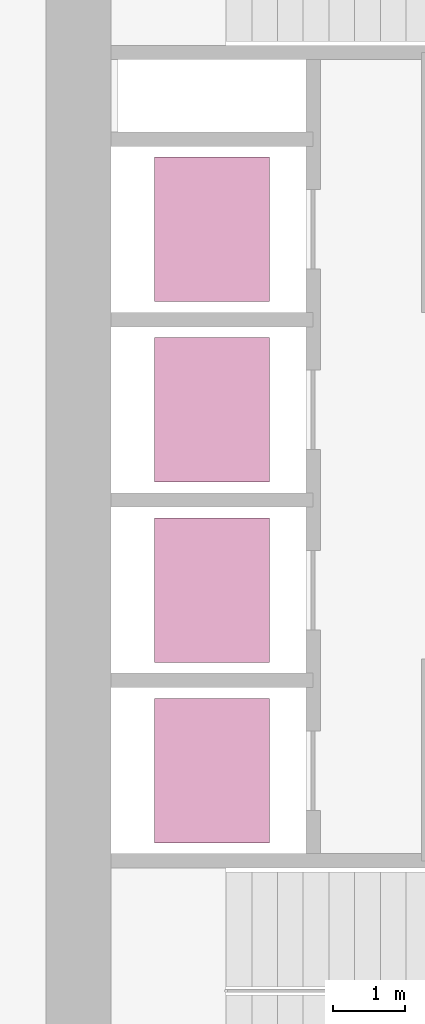
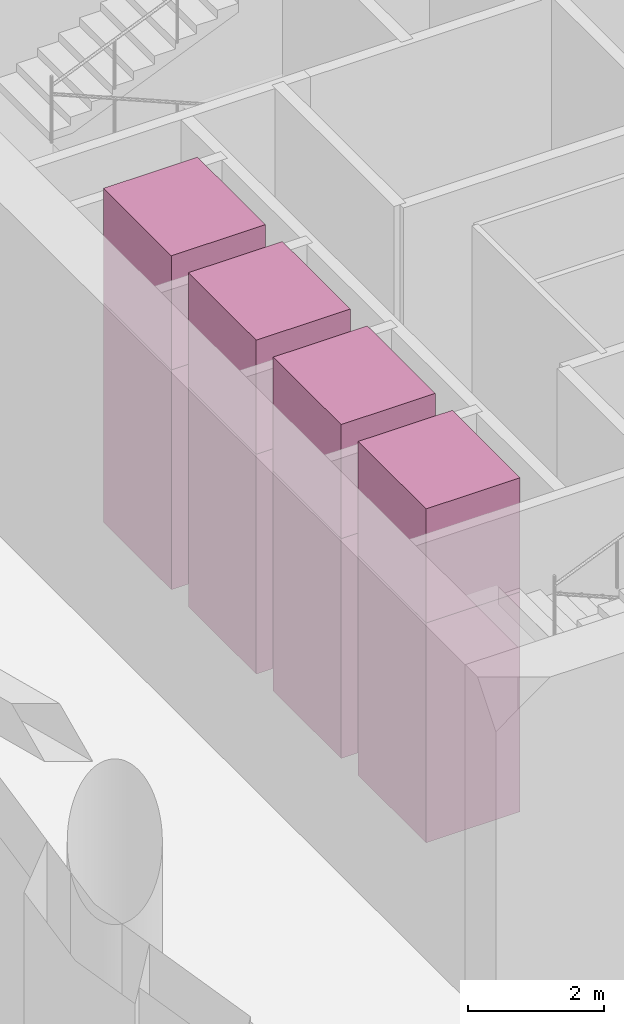
# One storey, part 28 of 28: 8 transport elements.
"""IFC4 building model written with IfcOpenShell, lengths in metres."""

from ifc_helpers import new_model, si_unit, direction, frame, origin, origin_2d, place, context, subcontext, project, spatial, rectangle, extrude, material, type_object, element, save


model = new_model("IFC4")

# Units and contexts
model_context = context("Model", 3, precision=1e-05, world=origin(), true_north=direction((0.0, 1.0)))
body_context = subcontext(model_context, "Body", "Model", "MODEL_VIEW")
ifc_project = project(units=[si_unit("LENGTHUNIT", "METRE"), si_unit("AREAUNIT", "SQUARE_METRE"), si_unit("VOLUMEUNIT", "CUBIC_METRE"), si_unit("PLANEANGLEUNIT", "RADIAN"), si_unit("MASSUNIT", "GRAM", prefix="KILO")], contexts=[model_context])

# Site, building, storey
site_placement = place(None, origin())
site = spatial("IfcSite", under=ifc_project, at=site_placement, CompositionType="ELEMENT")
building_placement = place(site_placement, origin())
building = spatial("IfcBuilding", under=site, at=building_placement, Name="Qaws Garden Tower", CompositionType="ELEMENT")
storey_placement = place(building_placement, frame((0.0, 0.0, 6.0)))
storey = spatial("IfcBuildingStorey", under=building, at=storey_placement, Name="L01", CompositionType="ELEMENT", Elevation=6.0)

# Transport elements
ifc_material = material(Name="Stainless steel 316", Category="steel")
transport_element_type = type_object("IfcTransportElementType", Name="Passenger lift car 2000x1600 1800 kg", PredefinedType="ELEVATOR", material=ifc_material)
transport_element_1_placement = place(storey_placement, frame((10.300048828125, 13.64990234375, 0.0), z_axis=(0.0, 0.0, 1.0), x_axis=(1.0, 0.0, 0.0)))
element("IfcTransportElement", 1, at=transport_element_1_placement, inside=storey, type_object=transport_element_type, Name="LR1", PredefinedType="ELEVATOR", context=body_context, shape_type="SweptSolid", body=[
    extrude(rectangle(XDim=1.60009765625, YDim=2.0, at=origin_2d()), origin(), (0.0, 0.0, 1.0), 3.949951171875),
])
transport_element_2_placement = place(storey_placement, frame((10.300048828125, 13.64990234375, 3.9501953125), z_axis=(0.0, 0.0, 1.0), x_axis=(1.0, 0.0, 0.0)))
element("IfcTransportElement", 2, at=transport_element_2_placement, inside=storey, type_object=transport_element_type, Name="LR1", PredefinedType="ELEVATOR", context=body_context, shape_type="SweptSolid", body=[
    extrude(rectangle(XDim=1.60009765625, YDim=2.0, at=origin_2d()), origin(), (0.0, 0.0, 1.0), 2.050048828125),
])
transport_element_3_placement = place(storey_placement, frame((10.300048828125, 16.14990234375, 0.0), z_axis=(0.0, 0.0, 1.0), x_axis=(1.0, 0.0, 0.0)))
element("IfcTransportElement", 3, at=transport_element_3_placement, inside=storey, type_object=transport_element_type, Name="LR2", PredefinedType="ELEVATOR", context=body_context, shape_type="SweptSolid", body=[
    extrude(rectangle(XDim=1.60009765625, YDim=2.0, at=origin_2d()), origin(), (0.0, 0.0, 1.0), 3.949951171875),
])
transport_element_4_placement = place(storey_placement, frame((10.300048828125, 16.14990234375, 3.9501953125), z_axis=(0.0, 0.0, 1.0), x_axis=(1.0, 0.0, 0.0)))
element("IfcTransportElement", 4, at=transport_element_4_placement, inside=storey, type_object=transport_element_type, Name="LR2", PredefinedType="ELEVATOR", context=body_context, shape_type="SweptSolid", body=[
    extrude(rectangle(XDim=1.60009765625, YDim=2.0, at=origin_2d()), origin(), (0.0, 0.0, 1.0), 2.050048828125),
])
transport_element_5_placement = place(storey_placement, frame((10.300048828125, 18.64990234375, 0.0), z_axis=(0.0, 0.0, 1.0), x_axis=(1.0, 0.0, 0.0)))
element("IfcTransportElement", 5, at=transport_element_5_placement, inside=storey, type_object=transport_element_type, Name="LR3", PredefinedType="ELEVATOR", context=body_context, shape_type="SweptSolid", body=[
    extrude(rectangle(XDim=1.60009765625, YDim=2.0, at=origin_2d()), origin(), (0.0, 0.0, 1.0), 3.949951171875),
])
transport_element_6_placement = place(storey_placement, frame((10.300048828125, 18.64990234375, 3.9501953125), z_axis=(0.0, 0.0, 1.0), x_axis=(1.0, 0.0, 0.0)))
element("IfcTransportElement", 6, at=transport_element_6_placement, inside=storey, type_object=transport_element_type, Name="LR3", PredefinedType="ELEVATOR", context=body_context, shape_type="SweptSolid", body=[
    extrude(rectangle(XDim=1.60009765625, YDim=2.0, at=origin_2d()), origin(), (0.0, 0.0, 1.0), 2.050048828125),
])
transport_element_7_placement = place(storey_placement, frame((10.300048828125, 21.14990234375, 0.0), z_axis=(0.0, 0.0, 1.0), x_axis=(1.0, 0.0, 0.0)))
element("IfcTransportElement", 7, at=transport_element_7_placement, inside=storey, type_object=transport_element_type, Name="LR4", PredefinedType="ELEVATOR", context=body_context, shape_type="SweptSolid", body=[
    extrude(rectangle(XDim=1.60009765625, YDim=2.0, at=origin_2d()), origin(), (0.0, 0.0, 1.0), 3.949951171875),
])
transport_element_8_placement = place(storey_placement, frame((10.300048828125, 21.14990234375, 3.9501953125), z_axis=(0.0, 0.0, 1.0), x_axis=(1.0, 0.0, 0.0)))
element("IfcTransportElement", 8, at=transport_element_8_placement, inside=storey, type_object=transport_element_type, Name="LR4", PredefinedType="ELEVATOR", context=body_context, shape_type="SweptSolid", body=[
    extrude(rectangle(XDim=1.60009765625, YDim=2.0, at=origin_2d()), origin(), (0.0, 0.0, 1.0), 2.050048828125),
])

save(model, "model.ifc")
